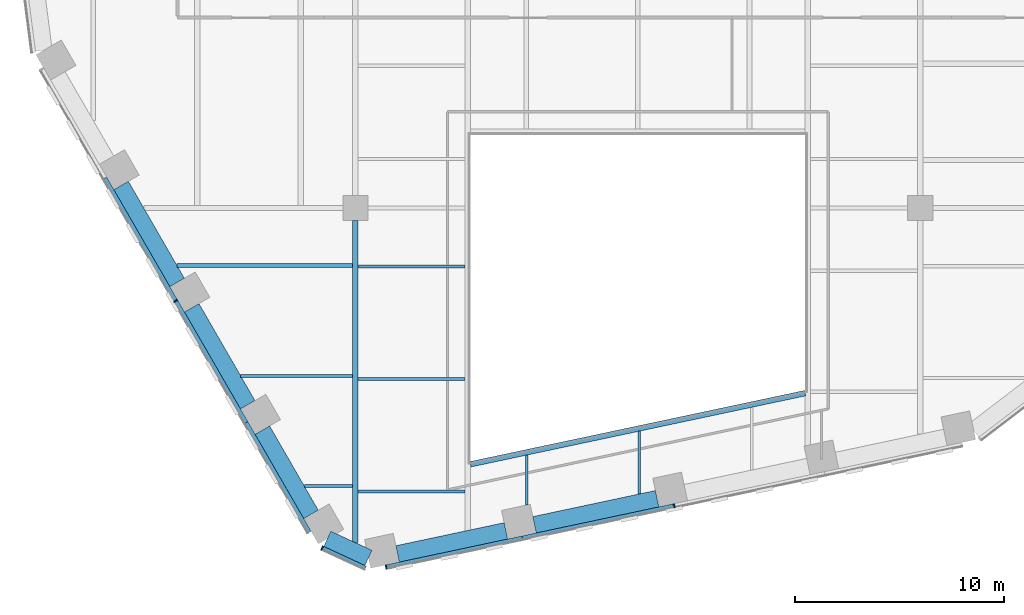
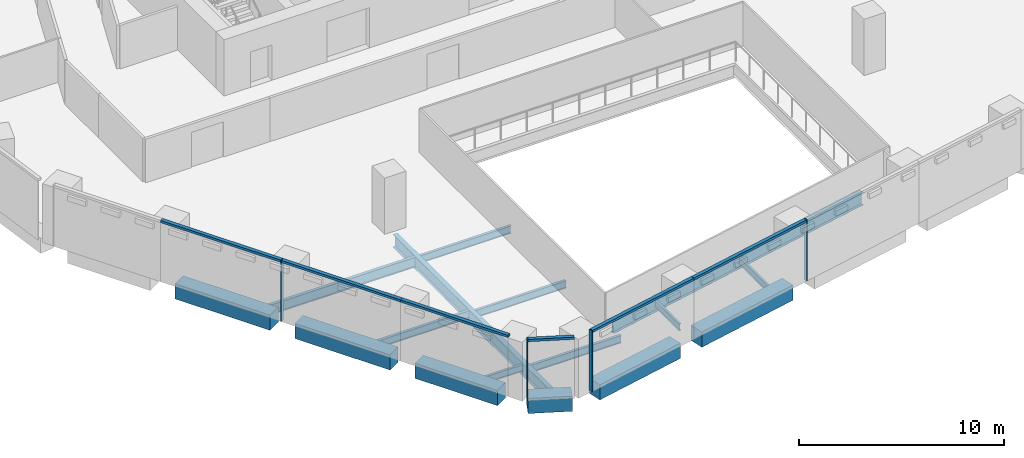
# One storey, part 2 of 17: 16 beams, 10 members, 3 elements without a shape of their own.
"""IFC4 building model written with IfcOpenShell, lengths in metres."""

from ifc_helpers import new_model, si_unit, direction, frame, origin, origin_2d, place, context, subcontext, project, spatial, rectangle, i_section, extrude, material, layer, layer_set, material_profile, profile_set, type_object, element, aggregate, save


model = new_model("IFC4")

# Units and contexts
model_context = context("Model", 3, precision=1e-05, world=origin(), true_north=direction((0.0, 1.0)))
body_context = subcontext(model_context, "Body", "Model", "MODEL_VIEW")
ifc_project = project(units=[si_unit("LENGTHUNIT", "METRE"), si_unit("AREAUNIT", "SQUARE_METRE"), si_unit("VOLUMEUNIT", "CUBIC_METRE"), si_unit("PLANEANGLEUNIT", "RADIAN"), si_unit("MASSUNIT", "GRAM", prefix="KILO")], contexts=[model_context])

# Site, building, storey
site_placement = place(None, origin())
site = spatial("IfcSite", under=ifc_project, at=site_placement, CompositionType="ELEMENT")
building_placement = place(site_placement, origin())
building = spatial("IfcBuilding", under=site, at=building_placement, Name="Isthmus Gate Tower", CompositionType="ELEMENT")
storey_placement = place(building_placement, frame((0.0, 0.0, 162.64990234375)))
storey = spatial("IfcBuildingStorey", under=building, at=storey_placement, Name="L40", CompositionType="ELEMENT", Elevation=162.64990234375)

# Curtain wall, member
ifc_material_1 = material(Name="Aluminium, pale champagne anodised", Category="aluminium")
ifc_layer = layer(ifc_material_1, 0.199951171875)
ifc_layer_set = layer_set([ifc_layer], Name="CW-1 UNITISED CURTAIN WALL 200 DEEP")
curtain_wall_type = type_object("IfcCurtainWallType", Name="CW-1 UNITISED CURTAIN WALL 200 DEEP", PredefinedType="NOTDEFINED", material=ifc_layer_set)
curtain_wall_1_placement = place(storey_placement, origin())
curtain_wall_1 = element("IfcCurtainWall", 1, at=curtain_wall_1_placement, inside=storey, type_object=curtain_wall_type, Name="CW-1 SW L40", PredefinedType="NOTDEFINED")
ifc_material_2 = material(Name="Aluminium, pale champagne anodised", Category="aluminium")
ifc_material_profile_1 = material_profile(ifc_material_2, rectangle(XDim=0.06005859375, YDim=0.199951171875, at=origin_2d()), Name="60x200")
ifc_profile_set_1 = profile_set([ifc_material_profile_1], Name="Aluminium, pale champagne anodised")
member_type_1 = type_object("IfcMemberType", Name="CW-1 MULLION 60 X 200", PredefinedType="MULLION", material=ifc_profile_set_1)
member_1_placement = place(storey_placement, frame((-22.08935546875, -17.93994140625, 0.0), z_axis=(0.0, 0.0, 1.0), x_axis=(0.5, -0.866025403784, 0.0)))
member_1 = element("IfcMember", 2, at=member_1_placement, type_object=member_type_1, Name="CW-1 mullion", PredefinedType="MULLION", context=body_context, shape_type="SweptSolid", body=[
    extrude(rectangle(XDim=0.06005859375, YDim=0.199951171875, at=origin_2d()), origin(), (0.0, 0.0, 1.0), 3.650146484375),
])

curtain_wall_2_placement = place(storey_placement, origin())
curtain_wall_2 = element("IfcCurtainWall", 3, at=curtain_wall_2_placement, inside=storey, type_object=curtain_wall_type, Name="CW-1 SW-S L40", PredefinedType="NOTDEFINED")
member_2_placement = place(storey_placement, frame((-15.091064453125, -29.74755859375, 0.0), z_axis=(0.0, 0.0, 1.0), x_axis=(0.907256261367, -0.420578264073, 0.0)))
member_2 = element("IfcMember", 4, at=member_2_placement, type_object=member_type_1, Name="CW-1 mullion", PredefinedType="MULLION", context=body_context, shape_type="SweptSolid", body=[
    extrude(rectangle(XDim=0.06005859375, YDim=0.199951171875, at=origin_2d()), origin(), (0.0, 0.0, 1.0), 3.650146484375),
])

# Curtain wall, members
curtain_wall_3_placement = place(storey_placement, origin())
curtain_wall_3 = element("IfcCurtainWall", 5, at=curtain_wall_3_placement, inside=storey, type_object=curtain_wall_type, Name="CW-1 S L40", PredefinedType="NOTDEFINED")
member_3_placement = place(storey_placement, frame((-12.03369140625, -30.66015625, 0.0), z_axis=(0.0, 0.0, 1.0), x_axis=(0.978147600734, 0.207911690818, 0.0)))
member_3 = element("IfcMember", 6, at=member_3_placement, type_object=member_type_1, Name="CW-1 mullion", PredefinedType="MULLION", context=body_context, shape_type="SweptSolid", body=[
    extrude(rectangle(XDim=0.06005859375, YDim=0.199951171875, at=origin_2d()), origin(), (0.0, 0.0, 1.0), 3.650146484375),
])
member_4_placement = place(storey_placement, frame((1.740234375, -27.732421875, 0.0), z_axis=(0.0, 0.0, 1.0), x_axis=(0.978147600734, 0.207911690818, 0.0)))
member_4 = element("IfcMember", 7, at=member_4_placement, type_object=member_type_1, Name="CW-1 mullion", PredefinedType="MULLION", context=body_context, shape_type="SweptSolid", body=[
    extrude(rectangle(XDim=0.06005859375, YDim=0.199951171875, at=origin_2d()), origin(), (0.0, 0.0, 1.0), 3.650146484375),
])

# Member
ifc_material_3 = material(Name="Aluminium, pale champagne anodised", Category="aluminium")
ifc_material_profile_2 = material_profile(ifc_material_3, rectangle(XDim=0.199951171875, YDim=0.139892578125, at=origin_2d()), Name="200x140")
ifc_profile_set_2 = profile_set([ifc_material_profile_2], Name="Aluminium, pale champagne anodised")
member_type_2 = type_object("IfcMemberType", Name="CW-1 TRANSOM 200 X 140", PredefinedType="USERDEFINED", material=ifc_profile_set_2)
member_5_placement = place(storey_placement, frame((-25.4794921875, -12.068115234375, 3.580078125), z_axis=(0.49998230858, -0.86603561769, 0.0), x_axis=(0.86603561769, 0.49998230858, 0.0)))
member_5 = element("IfcMember", 8, at=member_5_placement, type_object=member_type_2, Name="CW-1 transom", ObjectType="TRANSOM", PredefinedType="USERDEFINED", context=body_context, shape_type="SweptSolid", body=[
    extrude(rectangle(XDim=0.199951171875, YDim=0.139892578125, at=origin_2d()), origin(), (0.0, 0.0, 1.0), 6.750244140625),
])

member_6_placement = place(storey_placement, frame((-22.074462890625, -17.9658203125, 3.580078125), z_axis=(0.499981482168, -0.866036094796, 0.0), x_axis=(0.866036094796, 0.499981482168, 0.0)))
member_6 = element("IfcMember", 9, at=member_6_placement, type_object=member_type_2, Name="CW-1 transom", ObjectType="TRANSOM", PredefinedType="USERDEFINED", context=body_context, shape_type="SweptSolid", body=[
    extrude(rectangle(XDim=0.199951171875, YDim=0.139892578125, at=origin_2d()), origin(), (0.0, 0.0, 1.0), 6.690185546875),
])

member_7_placement = place(storey_placement, frame((-18.7294921875, -23.759765625, 3.580078125), z_axis=(0.50001470477, -0.866016913815, 0.0), x_axis=(0.866016913815, 0.50001470477, 0.0)))
member_7 = element("IfcMember", 10, at=member_7_placement, type_object=member_type_2, Name="CW-1 transom", ObjectType="TRANSOM", PredefinedType="USERDEFINED", context=body_context, shape_type="SweptSolid", body=[
    extrude(rectangle(XDim=0.199951171875, YDim=0.139892578125, at=origin_2d()), origin(), (0.0, 0.0, 1.0), 6.050048828125),
])

aggregate(curtain_wall_1, [member_5, member_1, member_6, member_7])

member_8_placement = place(storey_placement, frame((-15.06396484375, -29.76025390625, 3.580078125), z_axis=(0.907246225564, -0.420599912268, 0.0), x_axis=(0.420599912268, 0.907246225564, 0.0)))
member_8 = element("IfcMember", 11, at=member_8_placement, type_object=member_type_2, Name="CW-1 transom", ObjectType="TRANSOM", PredefinedType="USERDEFINED", context=body_context, shape_type="SweptSolid", body=[
    extrude(rectangle(XDim=0.199951171875, YDim=0.139892578125, at=origin_2d()), origin(), (0.0, 0.0, 1.0), 2.258544921875),
])

aggregate(curtain_wall_2, [member_2, member_8])

member_9_placement = place(storey_placement, frame((-12.00439453125, -30.65380859375, 3.580078125), z_axis=(0.97814593552, 0.207919524877, 0.0), x_axis=(-0.207919524877, 0.97814593552, 0.0)))
member_9 = element("IfcMember", 12, at=member_9_placement, type_object=member_type_2, Name="CW-1 transom", ObjectType="TRANSOM", PredefinedType="USERDEFINED", context=body_context, shape_type="SweptSolid", body=[
    extrude(rectangle(XDim=0.199951171875, YDim=0.139892578125, at=origin_2d()), origin(), (0.0, 0.0, 1.0), 6.630859375),
])

member_10_placement = place(storey_placement, frame((-5.5185546875, -29.275146484375, 3.580078125), z_axis=(0.978147683684, 0.207911300568, 0.0), x_axis=(-0.207911300568, 0.978147683684, 0.0)))
member_10 = element("IfcMember", 13, at=member_10_placement, type_object=member_type_2, Name="CW-1 transom", ObjectType="TRANSOM", PredefinedType="USERDEFINED", context=body_context, shape_type="SweptSolid", body=[
    extrude(rectangle(XDim=0.199951171875, YDim=0.139892578125, at=origin_2d()), origin(), (0.0, 0.0, 1.0), 7.390869140625),
])

aggregate(curtain_wall_3, [member_3, member_9, member_10, member_4])

# Beams
ifc_material_4 = material(Name="Concrete f'c 60 MPa", Category="concrete")
ifc_material_profile_3 = material_profile(ifc_material_4, rectangle(XDim=0.800048828125, YDim=0.89990234375, at=origin_2d()), Name="RC 800X900")
ifc_profile_set_3 = profile_set([ifc_material_profile_3], Name="Concrete f'c 60 MPa")
beam_type_1 = type_object("IfcBeamType", Name="RC SPANDREL 800 X 900", PredefinedType="SPANDREL", material=ifc_profile_set_3)
beam_1_placement = place(storey_placement, frame((0.922119140625, -27.39501953125, -0.449951171875), z_axis=(-0.978145798872, -0.20792016773, 0.0), x_axis=(0.20792016773, -0.978145798872, 0.0)))
element("IfcBeam", 14, at=beam_1_placement, inside=storey, type_object=beam_type_1, Name="str-spandrel-L40-13", PredefinedType="SPANDREL", context=body_context, shape_type="SweptSolid", body=[
    extrude(rectangle(XDim=0.800048828125, YDim=0.89990234375, at=origin_2d()), origin(), (0.0, 0.0, 1.0), 5.99072265625),
])
beam_2_placement = place(storey_placement, frame((-6.30712890625, -28.931640625, -0.449951171875), z_axis=(-0.978145479826, -0.207921668653, 0.0), x_axis=(0.207921668653, -0.978145479826, 0.0)))
element("IfcBeam", 15, at=beam_2_placement, inside=storey, type_object=beam_type_1, Name="str-spandrel-L40-14", PredefinedType="SPANDREL", context=body_context, shape_type="SweptSolid", body=[
    extrude(rectangle(XDim=0.800048828125, YDim=0.89990234375, at=origin_2d()), origin(), (0.0, 0.0, 1.0), 5.291015625),
])
beam_3_placement = place(storey_placement, frame((-12.87255859375, -30.224853515625, -0.449951171875), z_axis=(-0.907290744498, 0.420503870314, 0.0), x_axis=(-0.420503870314, -0.907290744498, 0.0)))
element("IfcBeam", 16, at=beam_3_placement, inside=storey, type_object=beam_type_1, Name="str-spandrel-L40-15", PredefinedType="SPANDREL", context=body_context, shape_type="SweptSolid", body=[
    extrude(rectangle(XDim=0.800048828125, YDim=0.89990234375, at=origin_2d()), origin(), (0.0, 0.0, 1.0), 2.173095703125),
])
beam_4_placement = place(storey_placement, frame((-15.621337890625, -28.14306640625, -0.449951171875), z_axis=(-0.499984536904, 0.866034331223, 0.0), x_axis=(-0.866034331223, -0.499984536904, 0.0)))
element("IfcBeam", 17, at=beam_4_placement, inside=storey, type_object=beam_type_1, Name="str-spandrel-L40-16", PredefinedType="SPANDREL", context=body_context, shape_type="SweptSolid", body=[
    extrude(rectangle(XDim=0.800048828125, YDim=0.89990234375, at=origin_2d()), origin(), (0.0, 0.0, 1.0), 4.650146484375),
])
for number, where, z_axis, x_axis, name in (
    (18, (-18.646484375, -22.903564453125, -0.449951171875), (-0.500001594578, 0.866024483152, 0.0), (-0.866024483152, -0.500001594578, 0.0), "str-spandrel-L40-17"),
    (19, (-22.021484375, -17.0576171875, -0.449951171875), (-0.500001594578, 0.866024483152, 0.0), (-0.866024483152, -0.500001594578, 0.0), "str-spandrel-L40-18"),
):
    element("IfcBeam", number, at=place(storey_placement, frame(where, z_axis=z_axis, x_axis=x_axis)), inside=storey, type_object=beam_type_1, Name=name, PredefinedType="SPANDREL", context=body_context, shape_type="SweptSolid", body=[
        extrude(rectangle(XDim=0.800048828125, YDim=0.89990234375, at=origin_2d()), origin(), (0.0, 0.0, 1.0), 5.35009765625),
    ])
ifc_material_5 = material(Name="Structural steel ASTM A992 Gr 50", Category="steel")
ifc_material_profile_4 = material_profile(ifc_material_5, i_section(OverallWidth=0.1396484375, OverallDepth=0.4033203125, WebThickness=0.00634765625, FlangeThickness=0.010986328125, at=origin_2d()), Name="W16X31")
ifc_profile_set_4 = profile_set([ifc_material_profile_4], Name="Structural steel ASTM A992 Gr 50")
beam_type_2 = type_object("IfcBeamType", Name="STEEL FLOOR BEAM W16X31", PredefinedType="JOIST", material=ifc_profile_set_4)
beam_5_placement = place(storey_placement, frame((-15.937744140625, -26.795166015625, -0.3515625), z_axis=(1.0, 0.0, 0.0), x_axis=(0.0, 1.0, 0.0)))
element("IfcBeam", 20, at=beam_5_placement, inside=storey, type_object=beam_type_2, Name="str-beam-L40-02-00", PredefinedType="JOIST", context=body_context, shape_type="SweptSolid", body=[
    extrude(i_section(OverallWidth=0.1396484375, OverallDepth=0.4033203125, WebThickness=0.00634765625, FlangeThickness=0.010986328125, at=origin_2d()), origin(), (0.0, 0.0, 1.0), 2.304443359375),
])
beam_6_placement = place(storey_placement, frame((-5.311279296875, -27.69775390625, -0.3515625), z_axis=(0.0, 1.0, 0.0), x_axis=(-1.0, 0.0, 0.0)))
element("IfcBeam", 21, at=beam_6_placement, inside=storey, type_object=beam_type_2, Name="str-beam-L40-07-00", PredefinedType="JOIST", context=body_context, shape_type="SweptSolid", body=[
    extrude(i_section(OverallWidth=0.1396484375, OverallDepth=0.4033203125, WebThickness=0.00634765625, FlangeThickness=0.010986328125, at=origin_2d()), origin(), (0.0, 0.0, 1.0), 2.385498046875),
])
beam_7_placement = place(storey_placement, frame((0.06591796875, -27.168212890625, -0.3515625), z_axis=(0.0, 1.0, 0.0), x_axis=(-1.0, 0.0, 0.0)))
element("IfcBeam", 22, at=beam_7_placement, inside=storey, type_object=beam_type_2, Name="str-beam-L40-07-01", PredefinedType="JOIST", context=body_context, shape_type="SweptSolid", body=[
    extrude(i_section(OverallWidth=0.1396484375, OverallDepth=0.4033203125, WebThickness=0.00634765625, FlangeThickness=0.010986328125, at=origin_2d()), origin(), (0.0, 0.0, 1.0), 2.9990234375),
])
ifc_material_6 = material(Name="Structural steel ASTM A992 Gr 50", Category="steel")
ifc_material_profile_5 = material_profile(ifc_material_6, i_section(OverallWidth=0.15234375, OverallDepth=0.45068359375, WebThickness=0.0078125, FlangeThickness=0.010986328125, at=origin_2d()), Name="W18X35")
ifc_profile_set_5 = profile_set([ifc_material_profile_5], Name="Structural steel ASTM A992 Gr 50")
beam_type_3 = type_object("IfcBeamType", Name="STEEL FLOOR BEAM W18X35", PredefinedType="JOIST", material=ifc_profile_set_5)
beam_8_placement = place(storey_placement, frame((-18.981689453125, -21.52294921875, -0.375244140625), z_axis=(1.0, 0.0, 0.0), x_axis=(0.0, 1.0, 0.0)))
element("IfcBeam", 23, at=beam_8_placement, inside=storey, type_object=beam_type_3, Name="str-beam-L40-02-01", PredefinedType="JOIST", context=body_context, shape_type="SweptSolid", body=[
    extrude(i_section(OverallWidth=0.15234375, OverallDepth=0.45068359375, WebThickness=0.0078125, FlangeThickness=0.010986328125, at=origin_2d()), origin(), (0.0, 0.0, 1.0), 5.348388671875),
])
for number, where, z_axis, x_axis, name in (
    (24, (-13.36669921875, -27.04736328125, -0.375244140625), (1.0, 0.0, 0.0), (0.0, 1.0, 0.0), "str-beam-L40-03-00"),
    (25, (-13.36669921875, -21.67041015625, -0.375244140625), (1.0, 0.0, 0.0), (0.0, 1.0, 0.0), "str-beam-L40-03-01"),
    (26, (-13.36669921875, -16.293212890625, -0.375244140625), (1.0, 0.0, 0.0), (0.0, 1.0, 0.0), "str-beam-L40-03-02"),
):
    element("IfcBeam", number, at=place(storey_placement, frame(where, z_axis=z_axis, x_axis=x_axis)), inside=storey, type_object=beam_type_3, Name=name, PredefinedType="JOIST", context=body_context, shape_type="SweptSolid", body=[
        extrude(i_section(OverallWidth=0.15234375, OverallDepth=0.45068359375, WebThickness=0.0078125, FlangeThickness=0.010986328125, at=origin_2d()), origin(), (0.0, 0.0, 1.0), 5.10009765625),
    ])
ifc_material_7 = material(Name="Structural steel ASTM A992 Gr 50", Category="steel")
ifc_material_profile_6 = material_profile(ifc_material_7, i_section(OverallWidth=0.177734375, OverallDepth=0.60009765625, WebThickness=0.009521484375, FlangeThickness=0.0126953125, at=origin_2d()), Name="W24X55")
ifc_profile_set_6 = profile_set([ifc_material_profile_6], Name="Structural steel ASTM A992 Gr 50")
beam_type_4 = type_object("IfcBeamType", Name="STEEL FLOOR BEAM W24X55", PredefinedType="JOIST", material=ifc_profile_set_6)
beam_9_placement = place(storey_placement, frame((-22.025634765625, -16.25048828125, -0.449951171875), z_axis=(1.0, 0.0, 0.0), x_axis=(0.0, 1.0, 0.0)))
element("IfcBeam", 27, at=beam_9_placement, inside=storey, type_object=beam_type_4, Name="str-beam-L40-02-02", PredefinedType="JOIST", context=body_context, shape_type="SweptSolid", body=[
    extrude(i_section(OverallWidth=0.177734375, OverallDepth=0.60009765625, WebThickness=0.009521484375, FlangeThickness=0.0126953125, at=origin_2d()), origin(), (0.0, 0.0, 1.0), 8.392333984375),
])
ifc_material_8 = material(Name="Structural steel ASTM A992 Gr 50", Category="steel")
ifc_material_profile_7 = material_profile(ifc_material_8, i_section(OverallWidth=0.2666015625, OverallDepth=0.7587890625, WebThickness=0.014404296875, FlangeThickness=0.01904296875, at=origin_2d()), Name="W30X108")
ifc_profile_set_7 = profile_set([ifc_material_profile_7], Name="Structural steel ASTM A992 Gr 50")
beam_type_5 = type_object("IfcBeamType", Name="STEEL GIRDER W30X108", PredefinedType="BEAM", material=ifc_profile_set_7)
beam_10_placement = place(storey_placement, frame((-13.5, -29.4931640625, -0.529296875), z_axis=(0.0, 1.0, 0.0), x_axis=(-1.0, 0.0, 0.0)))
element("IfcBeam", 28, at=beam_10_placement, inside=storey, type_object=beam_type_5, Name="str-girder-L40-07", PredefinedType="BEAM", context=body_context, shape_type="SweptSolid", body=[
    extrude(i_section(OverallWidth=0.2666015625, OverallDepth=0.7587890625, WebThickness=0.014404296875, FlangeThickness=0.01904296875, at=origin_2d()), origin(), (0.0, 0.0, 1.0), 15.39306640625),
])
ifc_material_9 = material(Name="Structural steel ASTM A992 Gr 50", Category="steel")
ifc_material_profile_8 = material_profile(ifc_material_9, i_section(OverallWidth=0.2666015625, OverallDepth=0.7587890625, WebThickness=0.014404296875, FlangeThickness=0.01904296875, at=origin_2d()), Name="W30X108")
ifc_profile_set_8 = profile_set([ifc_material_profile_8], Name="Structural steel ASTM A992 Gr 50")
beam_type_6 = type_object("IfcBeamType", Name="STEEL TRIMMER W30X108", PredefinedType="BEAM", material=ifc_profile_set_8)
beam_11_placement = place(storey_placement, frame((-8.0, -25.747314453125, -0.529296875), z_axis=(0.978147924985, 0.20791016533, 0.0), x_axis=(-0.20791016533, 0.978147924985, 0.0)))
element("IfcBeam", 29, at=beam_11_placement, inside=storey, type_object=beam_type_6, Name="str-trimmer-L40-03", PredefinedType="BEAM", context=body_context, shape_type="SweptSolid", body=[
    extrude(i_section(OverallWidth=0.2666015625, OverallDepth=0.7587890625, WebThickness=0.014404296875, FlangeThickness=0.01904296875, at=origin_2d()), origin(), (0.0, 0.0, 1.0), 16.357421875),
])

save(model, "model.ifc")
